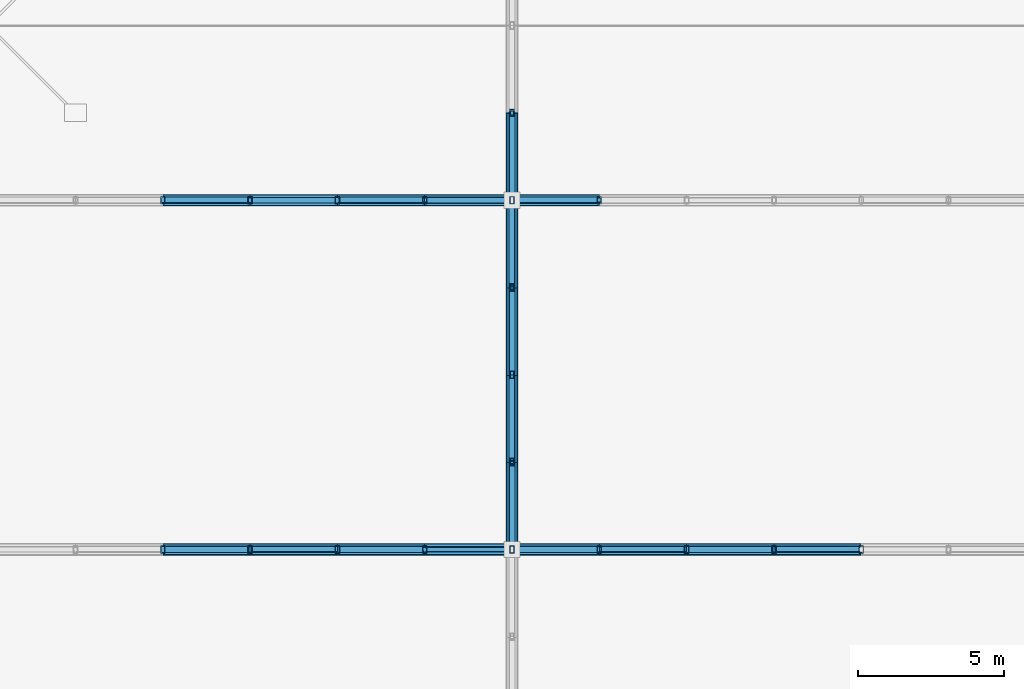
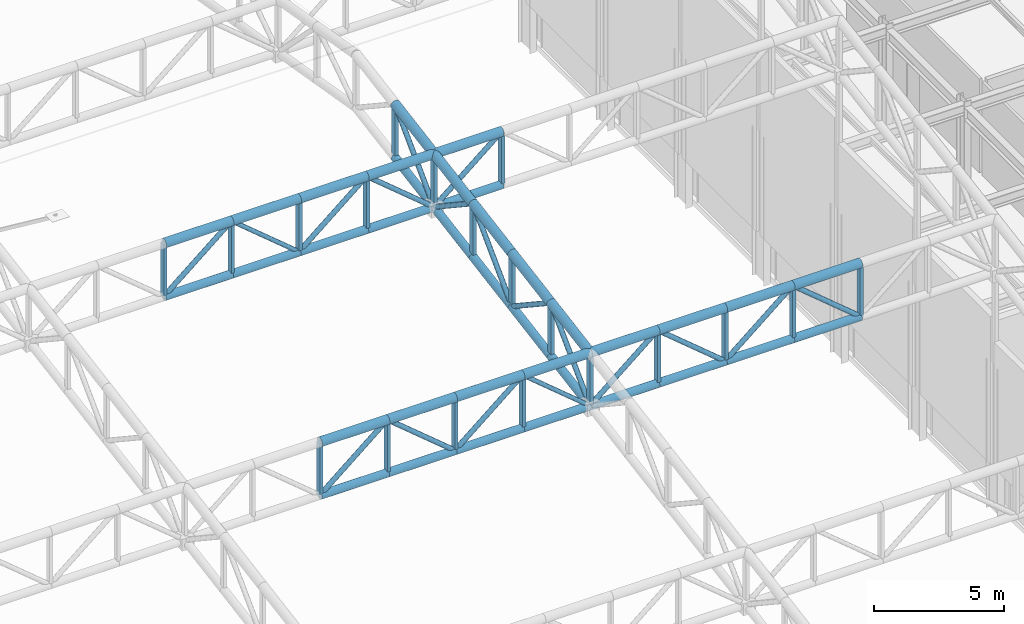
# One storey, part 116 of 239: 73 members.
"""IFC4 building model written with IfcOpenShell, lengths in metres."""

from ifc_helpers import new_model, si_unit, direction, frame, origin, origin_2d, place, context, subcontext, project, spatial, hollow_rectangle, hollow_circle, extrude, material, material_profile, profile_set, type_object, element, save


model = new_model("IFC4")

# Units and contexts
model_context = context("Model", 3, precision=1e-05, world=origin(), true_north=direction((0.0, 1.0)))
body_context = subcontext(model_context, "Body", "Model", "MODEL_VIEW")
ifc_project = project(units=[si_unit("LENGTHUNIT", "METRE"), si_unit("AREAUNIT", "SQUARE_METRE"), si_unit("VOLUMEUNIT", "CUBIC_METRE"), si_unit("PLANEANGLEUNIT", "RADIAN"), si_unit("MASSUNIT", "GRAM", prefix="KILO")], contexts=[model_context])

# Site, building, storey
site_placement = place(None, origin())
site = spatial("IfcSite", under=ifc_project, at=site_placement, CompositionType="ELEMENT")
building_placement = place(site_placement, origin())
building = spatial("IfcBuilding", under=site, at=building_placement, Name="Kaldris Quays Convention Centre", CompositionType="ELEMENT")
storey_placement = place(building_placement, frame((0.0, 0.0, 11.39990234375)))
storey = spatial("IfcBuildingStorey", under=building, at=storey_placement, Name="L02", CompositionType="ELEMENT", Elevation=11.39990234375)

# Members
ifc_material = material(Name="Steel S355J2H", Category="steel")
ifc_material_profile_1 = material_profile(ifc_material, hollow_circle(Radius=0.203125, WallThickness=0.01611328125, at=origin_2d()), Name="CHS 406.4x16")
ifc_profile_set_1 = profile_set([ifc_material_profile_1], Name="Steel S355J2H")
member_type_1 = type_object("IfcMemberType", Name="STRUCTURAL MEMBER SC01", PredefinedType="CHORD", material=ifc_profile_set_1)
for number, where, z_axis, x_axis, name in (
    (1, (116.0, 80.0, 13.7861328125), (1.0, 0.0, 0.0), (0.0, 1.0, 0.0), "SF-V1 Top Chord X 117"),
    (2, (119.0, 80.0, 13.7861328125), (1.0, 0.0, 0.0), (0.0, 1.0, 0.0), "SF-V1 Top Chord X 118"),
    (3, (122.0, 80.0, 13.7861328125), (1.0, 0.0, 0.0), (0.0, 1.0, 0.0), "SF-V1 Top Chord X 119"),
    (4, (125.0, 80.0, 13.7861328125), (1.0, 0.0, 0.0), (0.0, 1.0, 0.0), "SF-V1 Top Chord X 120"),
    (5, (128.0, 80.0, 13.7861328125), (1.0, 0.0, 0.0), (0.0, 1.0, 0.0), "SF-V1 Top Chord X 121"),
    (6, (131.0, 80.0, 13.7861328125), (1.0, 0.0, 0.0), (0.0, 1.0, 0.0), "SF-V1 Top Chord X 122"),
    (7, (134.0, 80.0, 13.7861328125), (1.0, 0.0, 0.0), (0.0, 1.0, 0.0), "SF-V1 Top Chord X 123"),
    (8, (137.0, 80.0, 13.7861328125), (1.0, 0.0, 0.0), (0.0, 1.0, 0.0), "SF-V1 Top Chord X 124"),
    (9, (116.0, 92.0, 15.84326171875), (1.0, 0.0, 0.0), (0.0, 1.0, 0.0), "SF-V1 Top Chord X 159"),
    (10, (119.0, 92.0, 15.84326171875), (1.0, 0.0, 0.0), (0.0, 1.0, 0.0), "SF-V1 Top Chord X 160"),
    (11, (122.0, 92.0, 15.84326171875), (1.0, 0.0, 0.0), (0.0, 1.0, 0.0), "SF-V1 Top Chord X 161"),
    (12, (125.0, 92.0, 15.84326171875), (1.0, 0.0, 0.0), (0.0, 1.0, 0.0), "SF-V1 Top Chord X 162"),
    (13, (128.0, 92.0, 15.84326171875), (1.0, 0.0, 0.0), (0.0, 1.0, 0.0), "SF-V1 Top Chord X 163"),
):
    element("IfcMember", number, at=place(storey_placement, frame(where, z_axis=z_axis, x_axis=x_axis)), inside=storey, type_object=member_type_1, Name=name, PredefinedType="CHORD", context=body_context, shape_type="SweptSolid", body=[
        extrude(hollow_circle(Radius=0.203125, WallThickness=0.01611328125, at=origin_2d()), origin(), (0.0, 0.0, 1.0), 3.0),
    ])
for number, where, z_axis, x_axis, name in (
    (14, (128.0, 80.0, 13.7861328125), (0.0, 0.985615766076, 0.169001661712), (-1.0, 0.0, 0.0), "SF-V1 Top Chord Y 513"),
    (15, (128.0, 83.0, 14.300537109375), (0.0, 0.98562912375, 0.168923741424), (-1.0, 0.0, 0.0), "SF-V1 Top Chord Y 514"),
    (16, (128.0, 86.0, 14.814697265625), (0.0, 0.985615766076, 0.169001661712), (-1.0, 0.0, 0.0), "SF-V1 Top Chord Y 515"),
    (17, (128.0, 89.0, 15.3291015625), (0.0, 0.98562912375, 0.168923741424), (-1.0, 0.0, 0.0), "SF-V1 Top Chord Y 516"),
    (18, (128.0, 92.0, 15.84326171875), (0.0, 0.985615766076, 0.169001661712), (-1.0, 0.0, 0.0), "SF-V1 Top Chord Y 517"),
):
    element("IfcMember", number, at=place(storey_placement, frame(where, z_axis=z_axis, x_axis=x_axis)), inside=storey, type_object=member_type_1, Name=name, PredefinedType="CHORD", context=body_context, shape_type="SweptSolid", body=[
        extrude(hollow_circle(Radius=0.203125, WallThickness=0.01611328125, at=origin_2d()), origin(), (0.0, 0.0, 1.0), 3.043701171875),
    ])
ifc_material_profile_2 = material_profile(ifc_material, hollow_circle(Radius=0.177734375, WallThickness=0.01611328125, at=origin_2d()), Name="CHS 355.6x16")
ifc_profile_set_2 = profile_set([ifc_material_profile_2], Name="Steel S355J2H")
member_type_2 = type_object("IfcMemberType", Name="STRUCTURAL MEMBER SC02", PredefinedType="CHORD", material=ifc_profile_set_2)
for number, where, z_axis, x_axis, name in (
    (19, (116.0, 80.0, 11.2861328125), (1.0, 0.0, 0.0), (0.0, 1.0, 0.0), "SF-V1 Bottom Chord X 117"),
    (20, (119.0, 80.0, 11.2861328125), (1.0, 0.0, 0.0), (0.0, 1.0, 0.0), "SF-V1 Bottom Chord X 118"),
    (21, (122.0, 80.0, 11.2861328125), (1.0, 0.0, 0.0), (0.0, 1.0, 0.0), "SF-V1 Bottom Chord X 119"),
    (22, (125.0, 80.0, 11.2861328125), (1.0, 0.0, 0.0), (0.0, 1.0, 0.0), "SF-V1 Bottom Chord X 120"),
    (23, (128.0, 80.0, 11.2861328125), (1.0, 0.0, 0.0), (0.0, 1.0, 0.0), "SF-V1 Bottom Chord X 121"),
    (24, (131.0, 80.0, 11.2861328125), (1.0, 0.0, 0.0), (0.0, 1.0, 0.0), "SF-V1 Bottom Chord X 122"),
    (25, (134.0, 80.0, 11.2861328125), (1.0, 0.0, 0.0), (0.0, 1.0, 0.0), "SF-V1 Bottom Chord X 123"),
    (26, (137.0, 80.0, 11.2861328125), (1.0, 0.0, 0.0), (0.0, 1.0, 0.0), "SF-V1 Bottom Chord X 124"),
    (27, (116.0, 92.0, 13.34326171875), (1.0, 0.0, 0.0), (0.0, 1.0, 0.0), "SF-V1 Bottom Chord X 159"),
    (28, (119.0, 92.0, 13.34326171875), (1.0, 0.0, 0.0), (0.0, 1.0, 0.0), "SF-V1 Bottom Chord X 160"),
    (29, (122.0, 92.0, 13.34326171875), (1.0, 0.0, 0.0), (0.0, 1.0, 0.0), "SF-V1 Bottom Chord X 161"),
    (30, (125.0, 92.0, 13.34326171875), (1.0, 0.0, 0.0), (0.0, 1.0, 0.0), "SF-V1 Bottom Chord X 162"),
    (31, (128.0, 92.0, 13.34326171875), (1.0, 0.0, 0.0), (0.0, 1.0, 0.0), "SF-V1 Bottom Chord X 163"),
):
    element("IfcMember", number, at=place(storey_placement, frame(where, z_axis=z_axis, x_axis=x_axis)), inside=storey, type_object=member_type_2, Name=name, PredefinedType="CHORD", context=body_context, shape_type="SweptSolid", body=[
        extrude(hollow_circle(Radius=0.177734375, WallThickness=0.01611328125, at=origin_2d()), origin(), (0.0, 0.0, 1.0), 3.0),
    ])
for number, where, z_axis, x_axis, name in (
    (32, (128.0, 80.0, 11.2861328125), (0.0, 0.985615766076, 0.169001661712), (-1.0, 0.0, 0.0), "SF-V1 Bottom Chord Y 513"),
    (33, (128.0, 83.0, 11.800537109375), (0.0, 0.98562912375, 0.168923741424), (-1.0, 0.0, 0.0), "SF-V1 Bottom Chord Y 514"),
    (34, (128.0, 86.0, 12.314697265625), (0.0, 0.985615766076, 0.169001661712), (-1.0, 0.0, 0.0), "SF-V1 Bottom Chord Y 515"),
    (35, (128.0, 89.0, 12.8291015625), (0.0, 0.98562912375, 0.168923741424), (-1.0, 0.0, 0.0), "SF-V1 Bottom Chord Y 516"),
    (36, (128.0, 92.0, 13.34326171875), (0.0, 0.985615766076, 0.169001661712), (-1.0, 0.0, 0.0), "SF-V1 Bottom Chord Y 517"),
):
    element("IfcMember", number, at=place(storey_placement, frame(where, z_axis=z_axis, x_axis=x_axis)), inside=storey, type_object=member_type_2, Name=name, PredefinedType="CHORD", context=body_context, shape_type="SweptSolid", body=[
        extrude(hollow_circle(Radius=0.177734375, WallThickness=0.01611328125, at=origin_2d()), origin(), (0.0, 0.0, 1.0), 3.043701171875),
    ])
ifc_material_profile_3 = material_profile(ifc_material, hollow_circle(Radius=0.109619140625, WallThickness=0.010009765625, at=origin_2d()), Name="CHS 219.1x10")
ifc_profile_set_3 = profile_set([ifc_material_profile_3], Name="Steel S355J2H")
member_type_3 = type_object("IfcMemberType", Name="STRUCTURAL MEMBER SWB1", PredefinedType="BRACE", material=ifc_profile_set_3)
for number, where, z_axis, x_axis, name in (
    (37, (116.0, 80.0, 11.2861328125), (0.768221279597, 0.0, 0.640184399664), (0.0, 1.0, 0.0), "SF-V1 Web Diagonal X 117"),
    (38, (122.0, 80.0, 11.2861328125), (-0.768221279597, 0.0, 0.640184399664), (0.0, -1.0, 0.0), "SF-V1 Web Diagonal X 118"),
    (39, (122.0, 80.0, 11.2861328125), (0.768221279597, 0.0, 0.640184399664), (0.0, 1.0, 0.0), "SF-V1 Web Diagonal X 119"),
    (40, (128.0, 80.0, 11.2861328125), (0.768221279597, 0.0, 0.640184399664), (0.0, 1.0, 0.0), "SF-V1 Web Diagonal X 121"),
    (41, (134.0, 80.0, 11.2861328125), (-0.768221279597, 0.0, 0.640184399664), (0.0, -1.0, 0.0), "SF-V1 Web Diagonal X 122"),
    (42, (134.0, 80.0, 11.2861328125), (0.768221279597, 0.0, 0.640184399664), (0.0, 1.0, 0.0), "SF-V1 Web Diagonal X 123"),
    (43, (140.0, 80.0, 11.2861328125), (-0.768221279597, 0.0, 0.640184399664), (0.0, -1.0, 0.0), "SF-V1 Web Diagonal X 124"),
    (44, (116.0, 92.0, 13.34326171875), (0.768221279597, 0.0, 0.640184399664), (0.0, 1.0, 0.0), "SF-V1 Web Diagonal X 159"),
    (45, (122.0, 92.0, 13.34326171875), (0.768221279597, 0.0, 0.640184399664), (0.0, 1.0, 0.0), "SF-V1 Web Diagonal X 161"),
    (46, (128.0, 92.0, 13.34326171875), (-0.768221279597, 0.0, 0.640184399664), (0.0, -1.0, 0.0), "SF-V1 Web Diagonal X 162"),
    (47, (128.0, 92.0, 13.34326171875), (0.768221279597, 0.0, 0.640184399664), (0.0, 1.0, 0.0), "SF-V1 Web Diagonal X 163"),
):
    element("IfcMember", number, at=place(storey_placement, frame(where, z_axis=z_axis, x_axis=x_axis)), inside=storey, type_object=member_type_3, Name=name, PredefinedType="BRACE", context=body_context, shape_type="SweptSolid", body=[
        extrude(hollow_circle(Radius=0.109619140625, WallThickness=0.010009765625, at=origin_2d()), origin(), (0.0, 0.0, 1.0), 3.905029296875),
    ])
member_1_placement = place(storey_placement, frame((128.0, 80.0, 11.2861328125), z_axis=(0.0, 0.705411261057, 0.708798245465), x_axis=(-1.0, 0.0, 0.0)))
element("IfcMember", 48, at=member_1_placement, inside=storey, type_object=member_type_3, Name="SF-V1 Web Diagonal Y 513", PredefinedType="BRACE", context=body_context, shape_type="SweptSolid", body=[
    extrude(hollow_circle(Radius=0.109619140625, WallThickness=0.010009765625, at=origin_2d()), origin(), (0.0, 0.0, 1.0), 4.2529296875),
])
member_2_placement = place(storey_placement, frame((128.0, 86.0, 12.314697265625), z_axis=(0.0, -0.833862389808, 0.551972385962), x_axis=(1.0, 0.0, 0.0)))
element("IfcMember", 49, at=member_2_placement, inside=storey, type_object=member_type_3, Name="SF-V1 Web Diagonal Y 514", PredefinedType="BRACE", context=body_context, shape_type="SweptSolid", body=[
    extrude(hollow_circle(Radius=0.109619140625, WallThickness=0.010009765625, at=origin_2d()), origin(), (0.0, 0.0, 1.0), 3.59765625),
])
member_3_placement = place(storey_placement, frame((128.0, 86.0, 12.314697265625), z_axis=(0.0, 0.705411261057, 0.708798245465), x_axis=(-1.0, 0.0, 0.0)))
element("IfcMember", 50, at=member_3_placement, inside=storey, type_object=member_type_3, Name="SF-V1 Web Diagonal Y 515", PredefinedType="BRACE", context=body_context, shape_type="SweptSolid", body=[
    extrude(hollow_circle(Radius=0.109619140625, WallThickness=0.010009765625, at=origin_2d()), origin(), (0.0, 0.0, 1.0), 4.2529296875),
])
member_4_placement = place(storey_placement, frame((128.0, 92.0, 13.34326171875), z_axis=(0.0, -0.833862389808, 0.551972385962), x_axis=(1.0, 0.0, 0.0)))
element("IfcMember", 51, at=member_4_placement, inside=storey, type_object=member_type_3, Name="SF-V1 Web Diagonal Y 516", PredefinedType="BRACE", context=body_context, shape_type="SweptSolid", body=[
    extrude(hollow_circle(Radius=0.109619140625, WallThickness=0.010009765625, at=origin_2d()), origin(), (0.0, 0.0, 1.0), 3.59765625),
])
member_5_placement = place(storey_placement, frame((128.0, 92.0, 13.34326171875), z_axis=(0.0, 0.705411261057, 0.708798245465), x_axis=(-1.0, 0.0, 0.0)))
element("IfcMember", 52, at=member_5_placement, inside=storey, type_object=member_type_3, Name="SF-V1 Web Diagonal Y 517", PredefinedType="BRACE", context=body_context, shape_type="SweptSolid", body=[
    extrude(hollow_circle(Radius=0.109619140625, WallThickness=0.010009765625, at=origin_2d()), origin(), (0.0, 0.0, 1.0), 4.2529296875),
])
ifc_material_profile_4 = material_profile(ifc_material, hollow_circle(Radius=0.096923828125, WallThickness=0.008056640625, at=origin_2d()), Name="CHS 193.7x8")
ifc_profile_set_4 = profile_set([ifc_material_profile_4], Name="Steel S355J2H")
member_type_4 = type_object("IfcMemberType", Name="STRUCTURAL MEMBER SWB3", PredefinedType="BRACE", material=ifc_profile_set_4)
for number, where, z_axis, x_axis, name in (
    (53, (128.0, 80.0, 11.2861328125), (-0.768221279597, 0.0, 0.640184399664), (0.0, -1.0, 0.0), "SF-V1 Web Diagonal X 120"),
    (54, (122.0, 92.0, 13.34326171875), (-0.768221279597, 0.0, 0.640184399664), (0.0, -1.0, 0.0), "SF-V1 Web Diagonal X 160"),
):
    element("IfcMember", number, at=place(storey_placement, frame(where, z_axis=z_axis, x_axis=x_axis)), inside=storey, type_object=member_type_4, Name=name, PredefinedType="BRACE", context=body_context, shape_type="SweptSolid", body=[
        extrude(hollow_circle(Radius=0.096923828125, WallThickness=0.008056640625, at=origin_2d()), origin(), (0.0, 0.0, 1.0), 3.905029296875),
    ])
ifc_material_profile_5 = material_profile(ifc_material, hollow_rectangle(XDim=0.14990234375, YDim=0.25, WallThickness=0.010009765625, at=origin_2d()), Name="RHS 250x150x10")
ifc_profile_set_5 = profile_set([ifc_material_profile_5], Name="Steel S355J2H")
member_type_5 = type_object("IfcMemberType", Name="STRUCTURAL MEMBER TTV1", PredefinedType="POST", material=ifc_profile_set_5)
for number, where, z_axis, x_axis, name in (
    (55, (116.0, 80.0, 11.2861328125), (0.0, 0.0, 1.0), (1.0, 0.0, 0.0), "SF-V1 Space-Frame Post 385"),
    (56, (116.0, 92.0, 13.34326171875), (0.0, 0.0, 1.0), (1.0, 0.0, 0.0), "SF-V1 Space-Frame Post 386"),
    (57, (119.0, 80.0, 11.2861328125), (0.0, 0.0, 1.0), (1.0, 0.0, 0.0), "SF-V1 Space-Frame Post 393"),
    (58, (119.0, 92.0, 13.34326171875), (0.0, 0.0, 1.0), (1.0, 0.0, 0.0), "SF-V1 Space-Frame Post 394"),
    (59, (122.0, 80.0, 11.2861328125), (0.0, 0.0, 1.0), (1.0, 0.0, 0.0), "SF-V1 Space-Frame Post 401"),
    (60, (122.0, 92.0, 13.34326171875), (0.0, 0.0, 1.0), (1.0, 0.0, 0.0), "SF-V1 Space-Frame Post 402"),
    (61, (125.0, 80.0, 11.2861328125), (0.0, 0.0, 1.0), (1.0, 0.0, 0.0), "SF-V1 Space-Frame Post 409"),
    (62, (125.0, 92.0, 13.34326171875), (0.0, 0.0, 1.0), (1.0, 0.0, 0.0), "SF-V1 Space-Frame Post 410"),
    (63, (128.0, 80.0, 11.2861328125), (0.0, 0.0, 1.0), (1.0, 0.0, 0.0), "SF-V1 Space-Frame Post 423"),
    (64, (128.0, 83.0, 11.800537109375), (0.0, 0.0, 1.0), (1.0, 0.0, 0.0), "SF-V1 Space-Frame Post 424"),
    (65, (128.0, 86.0, 12.314697265625), (0.0, 0.0, 1.0), (1.0, 0.0, 0.0), "SF-V1 Space-Frame Post 425"),
    (66, (128.0, 89.0, 12.8291015625), (0.0, 0.0, 1.0), (1.0, 0.0, 0.0), "SF-V1 Space-Frame Post 426"),
    (67, (128.0, 92.0, 13.34326171875), (0.0, 0.0, 1.0), (1.0, 0.0, 0.0), "SF-V1 Space-Frame Post 427"),
    (68, (128.0, 95.0, 13.857666015625), (0.0, 0.0, 1.0), (1.0, 0.0, 0.0), "SF-V1 Space-Frame Post 428"),
    (69, (131.0, 80.0, 11.2861328125), (0.0, 0.0, 1.0), (1.0, 0.0, 0.0), "SF-V1 Space-Frame Post 446"),
    (70, (131.0, 92.0, 13.34326171875), (0.0, 0.0, 1.0), (1.0, 0.0, 0.0), "SF-V1 Space-Frame Post 447"),
    (71, (134.0, 80.0, 11.2861328125), (0.0, 0.0, 1.0), (1.0, 0.0, 0.0), "SF-V1 Space-Frame Post 454"),
    (72, (137.0, 80.0, 11.2861328125), (0.0, 0.0, 1.0), (1.0, 0.0, 0.0), "SF-V1 Space-Frame Post 462"),
    (73, (140.0, 80.0, 11.2861328125), (0.0, 0.0, 1.0), (1.0, 0.0, 0.0), "SF-V1 Space-Frame Post 470"),
):
    element("IfcMember", number, at=place(storey_placement, frame(where, z_axis=z_axis, x_axis=x_axis)), inside=storey, type_object=member_type_5, Name=name, PredefinedType="POST", context=body_context, shape_type="SweptSolid", body=[
        extrude(hollow_rectangle(XDim=0.14990234375, YDim=0.25, WallThickness=0.010009765625, at=origin_2d()), origin(), (0.0, 0.0, 1.0), 2.5),
    ])

save(model, "model.ifc")
